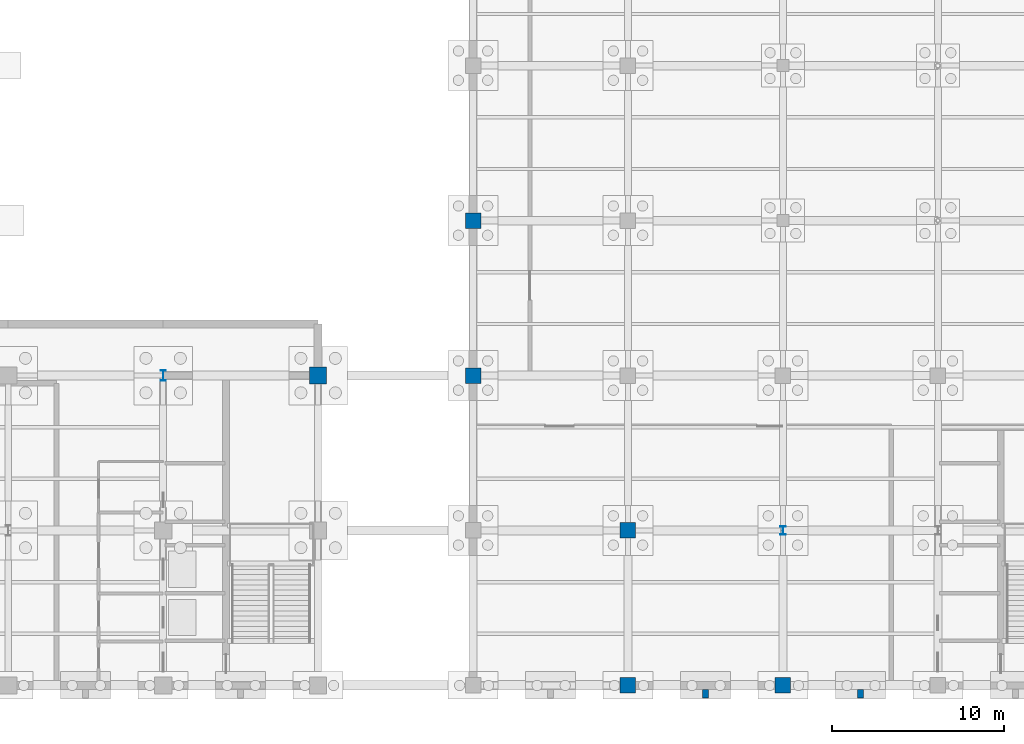
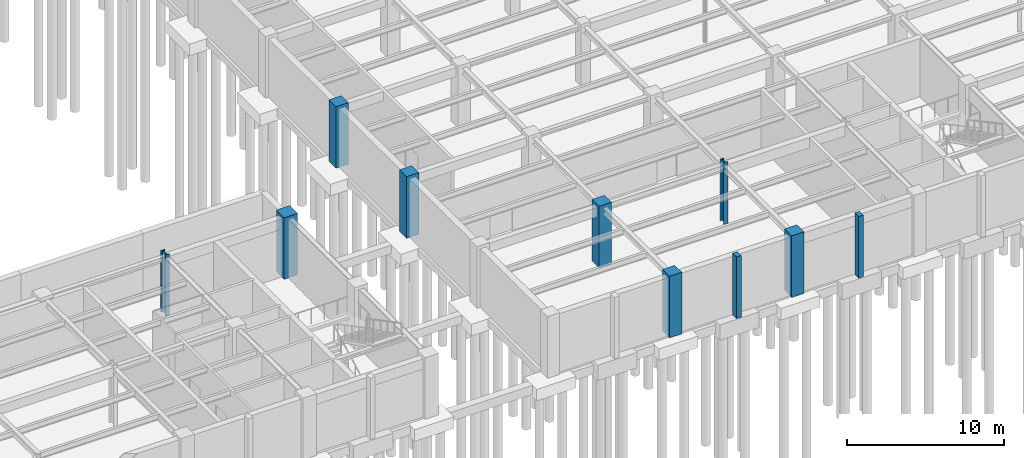
# One storey, part 15 of 49: 10 columns.
"""IFC4 building model written with IfcOpenShell, lengths in metres."""

from ifc_helpers import new_model, si_unit, direction, frame, origin, origin_2d, place, context, subcontext, project, spatial, rectangle, i_section, extrude, material, material_profile, profile_set, type_object, element, save


model = new_model("IFC4")

# Units and contexts
model_context = context("Model", 3, precision=1e-05, world=origin(), true_north=direction((0.0, 1.0)))
body_context = subcontext(model_context, "Body", "Model", "MODEL_VIEW")
ifc_project = project(units=[si_unit("LENGTHUNIT", "METRE"), si_unit("AREAUNIT", "SQUARE_METRE"), si_unit("VOLUMEUNIT", "CUBIC_METRE"), si_unit("PLANEANGLEUNIT", "RADIAN"), si_unit("MASSUNIT", "GRAM", prefix="KILO")], contexts=[model_context])

# Site, building, storey
site_placement = place(None, origin())
site = spatial("IfcSite", under=ifc_project, at=site_placement, CompositionType="ELEMENT")
building_placement = place(site_placement, origin())
building = spatial("IfcBuilding", under=site, at=building_placement, Name="Lykobir Media Centre", CompositionType="ELEMENT")
storey_placement = place(building_placement, frame((0.0, 0.0, -4.800048828125)))
storey = spatial("IfcBuildingStorey", under=building, at=storey_placement, Name="B1", CompositionType="ELEMENT", Elevation=-4.800048828125)

# Columns
ifc_material_1 = material(Name="Honed Travertine Stone", Category="masonry")
ifc_material_profile_1 = material_profile(ifc_material_1, rectangle(XDim=0.35009765625, YDim=0.5, at=origin_2d()), Name="RC PILASTER 500x350")
ifc_profile_set_1 = profile_set([ifc_material_profile_1], Name="Honed Travertine Stone")
column_type_1 = type_object("IfcColumnType", Name="PIL-500", PredefinedType="PILASTER", material=ifc_profile_set_1)
for number, where, z_axis, x_axis, name in (
    (1, (103.5, -0.47998046875, 0.0), (0.0, 0.0, 1.0), (1.0, 0.0, 0.0), "South Revak B1 pier 103.5"),
    (2, (112.5, -0.47998046875, 0.0), (0.0, 0.0, 1.0), (1.0, 0.0, 0.0), "South Revak B1 pier 112.5"),
):
    element("IfcColumn", number, at=place(storey_placement, frame(where, z_axis=z_axis, x_axis=x_axis)), inside=storey, type_object=column_type_1, Name=name, PredefinedType="PILASTER", context=body_context, shape_type="SweptSolid", body=[
        extrude(rectangle(XDim=0.35009765625, YDim=0.5, at=origin_2d()), origin(), (0.0, 0.0, 1.0), 4.800048828125),
    ])
ifc_material_2 = material(Name="Concrete C40/50", Category="concrete")
ifc_material_profile_2 = material_profile(ifc_material_2, rectangle(XDim=1.0, YDim=1.0, at=origin_2d()), Name="RC 1000x1000")
ifc_profile_set_2 = profile_set([ifc_material_profile_2], Name="Concrete C40/50")
column_type_2 = type_object("IfcColumnType", Name="RC-C1000-E", PredefinedType="COLUMN", material=ifc_profile_set_2)
column_1_placement = place(storey_placement, frame((81.0, 18.0, 0.0), z_axis=(0.0, 0.0, 1.0), x_axis=(1.0, 0.0, 0.0)))
element("IfcColumn", 3, at=column_1_placement, inside=storey, type_object=column_type_2, Name="Column COL-B1-0810-0180", PredefinedType="COLUMN", context=body_context, shape_type="SweptSolid", body=[
    extrude(rectangle(XDim=1.0, YDim=1.0, at=origin_2d()), origin(), (0.0, 0.0, 1.0), 4.800048828125),
])
ifc_material_profile_3 = material_profile(ifc_material_2, rectangle(XDim=0.89990234375, YDim=0.89990234375, at=origin_2d()), Name="RC 900x900")
ifc_profile_set_3 = profile_set([ifc_material_profile_3], Name="Concrete C40/50")
column_type_3 = type_object("IfcColumnType", Name="RC-C900", PredefinedType="COLUMN", material=ifc_profile_set_3)
column_2_placement = place(storey_placement, frame((99.0, 9.0, 0.0), z_axis=(0.0, 0.0, 1.0), x_axis=(1.0, 0.0, 0.0)))
element("IfcColumn", 4, at=column_2_placement, inside=storey, type_object=column_type_3, Name="Column COL-B1-0990-0090", PredefinedType="COLUMN", context=body_context, shape_type="SweptSolid", body=[
    extrude(rectangle(XDim=0.89990234375, YDim=0.89990234375, at=origin_2d()), origin(), (0.0, 0.0, 1.0), 4.800048828125),
])
ifc_material_profile_4 = material_profile(ifc_material_2, rectangle(XDim=0.89990234375, YDim=0.89990234375, at=origin_2d()), Name="RC 900x900")
ifc_profile_set_4 = profile_set([ifc_material_profile_4], Name="Concrete C40/50")
column_type_4 = type_object("IfcColumnType", Name="RC-C900-E", PredefinedType="COLUMN", material=ifc_profile_set_4)
for number, where, z_axis, x_axis, name in (
    (5, (90.0, 18.0, 0.0), (0.0, 0.0, 1.0), (1.0, 0.0, 0.0), "Column COL-B1-0900-0180"),
    (6, (90.0, 27.0, 0.0), (0.0, 0.0, 1.0), (1.0, 0.0, 0.0), "Column COL-B1-0900-0270"),
    (7, (99.0, 0.0, 0.0), (0.0, 0.0, 1.0), (1.0, 0.0, 0.0), "Column COL-B1-0990-0000"),
    (8, (108.0, 0.0, 0.0), (0.0, 0.0, 1.0), (1.0, 0.0, 0.0), "Column COL-B1-1080-0000"),
):
    element("IfcColumn", number, at=place(storey_placement, frame(where, z_axis=z_axis, x_axis=x_axis)), inside=storey, type_object=column_type_4, Name=name, PredefinedType="COLUMN", context=body_context, shape_type="SweptSolid", body=[
        extrude(rectangle(XDim=0.89990234375, YDim=0.89990234375, at=origin_2d()), origin(), (0.0, 0.0, 1.0), 4.800048828125),
    ])
ifc_material_3 = material(Name="Steel S355", Category="steel")
ifc_material_profile_5 = material_profile(ifc_material_3, i_section(OverallWidth=0.300048828125, OverallDepth=0.5, WebThickness=0.014404296875, FlangeThickness=0.028076171875, at=origin_2d()), Name="HEB 500")
ifc_profile_set_5 = profile_set([ifc_material_profile_5], Name="Steel S355")
column_type_5 = type_object("IfcColumnType", Name="SC-HEB500", PredefinedType="COLUMN", material=ifc_profile_set_5)
column_3_placement = place(storey_placement, frame((108.0, 9.0, 0.0), z_axis=(0.0, 0.0, 1.0), x_axis=(1.0, 0.0, 0.0)))
element("IfcColumn", 9, at=column_3_placement, inside=storey, type_object=column_type_5, Name="Column COL-B1-1080-0090", PredefinedType="COLUMN", context=body_context, shape_type="SweptSolid", body=[
    extrude(i_section(OverallWidth=0.300048828125, OverallDepth=0.5, WebThickness=0.014404296875, FlangeThickness=0.028076171875, at=origin_2d()), origin(), (0.0, 0.0, 1.0), 4.800048828125),
])
ifc_material_profile_6 = material_profile(ifc_material_3, i_section(OverallWidth=0.300048828125, OverallDepth=0.60009765625, WebThickness=0.015380859375, FlangeThickness=0.030029296875, at=origin_2d()), Name="HEB 600")
ifc_profile_set_6 = profile_set([ifc_material_profile_6], Name="Steel S355")
column_type_6 = type_object("IfcColumnType", Name="SC-HEB600", PredefinedType="COLUMN", material=ifc_profile_set_6)
column_4_placement = place(storey_placement, frame((72.0, 18.0, 0.0), z_axis=(0.0, 0.0, 1.0), x_axis=(1.0, 0.0, 0.0)))
element("IfcColumn", 10, at=column_4_placement, inside=storey, type_object=column_type_6, Name="Column COL-B1-0720-0180", PredefinedType="COLUMN", context=body_context, shape_type="SweptSolid", body=[
    extrude(i_section(OverallWidth=0.300048828125, OverallDepth=0.60009765625, WebThickness=0.015380859375, FlangeThickness=0.030029296875, at=origin_2d()), origin(), (0.0, 0.0, 1.0), 4.800048828125),
])

save(model, "model.ifc")
